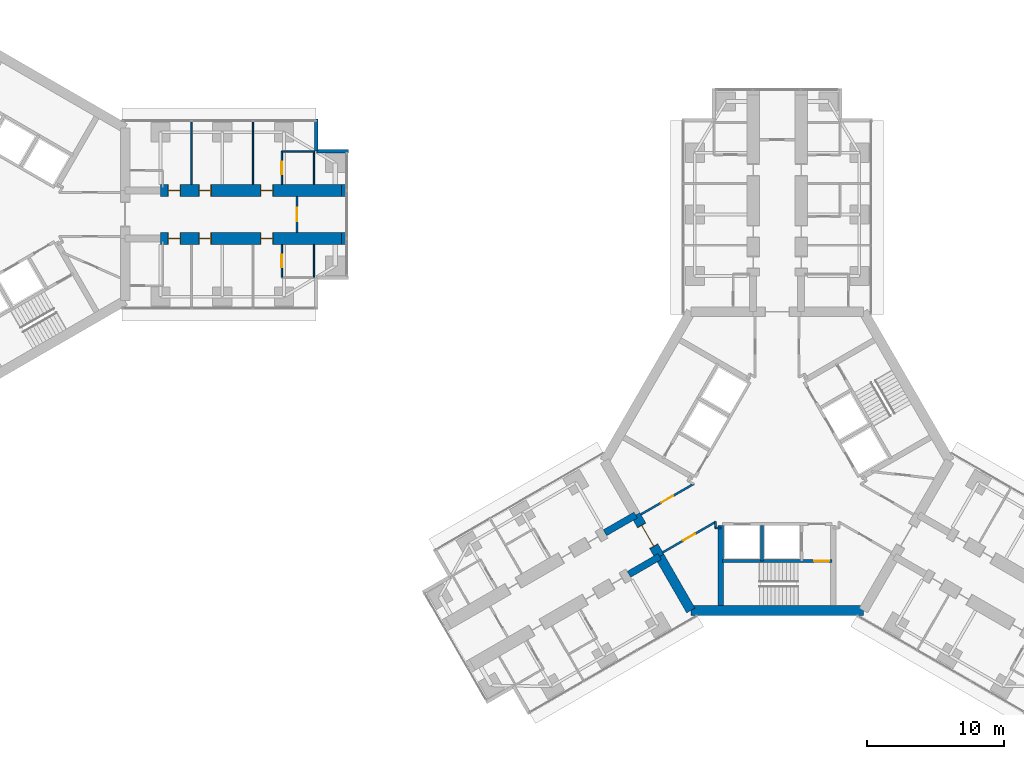
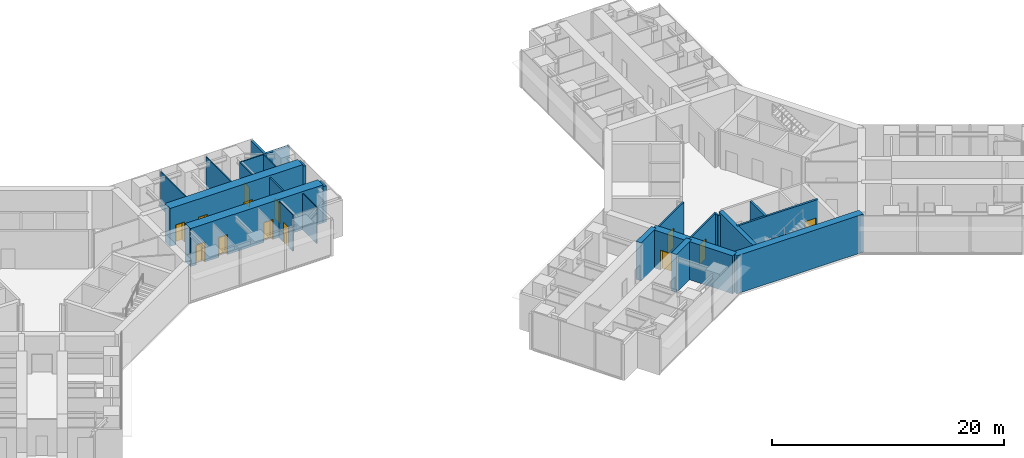
# One storey, part 20 of 25: 26 walls, 13 doors, 13 openings.
"""IFC4 building model written with IfcOpenShell, lengths in metres."""

from ifc_helpers import new_model, si_unit, direction, frame, frame_2d, origin, place, context, subcontext, project, spatial, rectangle, extrude, material, layer, layer_set, type_object, element, fill, save


model = new_model("IFC4")

# Units and contexts
model_context = context("Model", 3, precision=1e-05, world=origin(), true_north=direction((0.0, 1.0)))
body_context = subcontext(model_context, "Body", "Model", "MODEL_VIEW")
ifc_project = project(units=[si_unit("LENGTHUNIT", "METRE"), si_unit("AREAUNIT", "SQUARE_METRE"), si_unit("VOLUMEUNIT", "CUBIC_METRE"), si_unit("PLANEANGLEUNIT", "RADIAN"), si_unit("MASSUNIT", "GRAM", prefix="KILO")], contexts=[model_context])

# Site, building, storey
site_placement = place(None, origin())
site = spatial("IfcSite", under=ifc_project, at=site_placement, CompositionType="ELEMENT")
building_placement = place(site_placement, origin())
building = spatial("IfcBuilding", under=site, at=building_placement, Name="Upepo Twin Towers", CompositionType="ELEMENT")
storey_placement = place(building_placement, frame((0.0, 0.0, 76.5)))
storey = spatial("IfcBuildingStorey", under=building, at=storey_placement, Name="L18", CompositionType="ELEMENT", Elevation=76.5)

# Walls
ifc_material_1 = material(Name="Dense concrete blockwork", Category="masonry")
ifc_layer_1 = layer(ifc_material_1, 0.89990234375)
ifc_layer_set_1 = layer_set([ifc_layer_1], Name="Buttress closer 900, blockwork with fire-stopping to the curtain wall")
wall_type_1 = type_object("IfcWallType", Name="Buttress closer 900, blockwork with fire-stopping to the curtain wall", PredefinedType="PARTITIONING", material=ifc_layer_set_1)
for number, where, z_axis, x_axis, name in (
    (1, (26.699951171875, 1.75, 0.0), (0.0, 0.0, 1.0), (1.0, 0.0, 0.0), "T1 L18 wing A buttress closer L"),
    (2, (26.699951171875, -1.75, 0.0), (0.0, 0.0, 1.0), (1.0, 0.0, 0.0), "T1 L18 wing A buttress closer R"),
):
    element("IfcWall", number, at=place(storey_placement, frame(where, z_axis=z_axis, x_axis=x_axis)), inside=storey, type_object=wall_type_1, Name=name, PredefinedType="PARTITIONING", context=body_context, shape_type="SweptSolid", body=[
        extrude(rectangle(XDim=0.31005859375, YDim=0.89990234375, at=frame_2d((0.155029296875, 0.0))), origin(), (0.0, 0.0, 1.0), 3.800048828125),
    ])
ifc_material_2 = material(Name="Concrete C60/75", Category="concrete")
ifc_layer_2 = layer(ifc_material_2, 0.5)
ifc_layer_set_2 = layer_set([ifc_layer_2], Name="Concrete C60/75")
wall_type_2 = type_object("IfcWallType", Name="Buttress wall 500 RC", PredefinedType="SHEAR", material=ifc_layer_set_2)
for number, where, z_axis, x_axis, name in (
    (3, (49.92822265625, -24.9697265625, 0.0), (0.0, 0.0, 1.0), (-0.866031863473, -0.499988811324, 0.0), "T2 wing B buttress wall L"),
    (4, (48.17822265625, -21.938720703125, 0.0), (0.0, 0.0, 1.0), (-0.866072649678, -0.499918158782, 0.0), "T2 wing B buttress wall R"),
):
    element("IfcWall", number, at=place(storey_placement, frame(where, z_axis=z_axis, x_axis=x_axis)), inside=storey, type_object=wall_type_2, Name=name, PredefinedType="SHEAR", context=body_context, shape_type="SweptSolid", body=[
        extrude(rectangle(XDim=2.591796875, YDim=0.5, at=frame_2d((1.2958984375, 0.0))), origin(), (0.0, 0.0, 1.0), 4.0),
    ])

# Wall, openings, doors
ifc_material_3 = material(Name="Concrete C60/75", Category="concrete")
ifc_layer_3 = layer(ifc_material_3, 0.89990234375)
ifc_layer_set_3 = layer_set([ifc_layer_3], Name="Concrete C60/75")
wall_type_3 = type_object("IfcWallType", Name="Buttress wall 900 RC", PredefinedType="SHEAR", material=ifc_layer_set_3)
wall_1_placement = place(storey_placement, frame((13.5, 1.75, 0.0), z_axis=(0.0, 0.0, 1.0), x_axis=(1.0, 0.0, 0.0)))
wall_1 = element("IfcWall", 5, at=wall_1_placement, inside=storey, type_object=wall_type_3, Name="T1 wing A buttress wall L part 2", PredefinedType="SHEAR", context=body_context, shape_type="SweptSolid", body=[
    extrude(rectangle(XDim=13.199951171875, YDim=0.89990234375, at=frame_2d((6.60009765625, 0.0))), origin(), (0.0, 0.0, 1.0), 4.0),
])
opening_1_placement = place(wall_1_placement, frame((0.550048828125, 0.0, 0.0)))
opening_1 = element("IfcOpeningElement", 6, at=opening_1_placement, cuts=wall_1, Name="Opening D11", PredefinedType="OPENING", context=body_context, shape_type="SweptSolid", body=[
    extrude(rectangle(XDim=0.89990234375, YDim=2.10009765625, at=frame_2d((0.449951171875, 1.050048828125))), frame((0.0, 0.4599609375, 0.0), z_axis=(0.0, -1.0, 0.0), x_axis=(1.0, 0.0, 0.0)), (0.0, 0.0, 1.0), 0.919921875),
])
opening_2_placement = place(wall_1_placement, frame((2.800048828125, 0.0, 0.0)))
opening_2 = element("IfcOpeningElement", 7, at=opening_2_placement, cuts=wall_1, Name="Opening D14", PredefinedType="OPENING", context=body_context, shape_type="SweptSolid", body=[
    extrude(rectangle(XDim=0.89990234375, YDim=2.10009765625, at=frame_2d((0.449951171875, 1.050048828125))), frame((0.0, 0.4599609375, 0.0), z_axis=(0.0, -1.0, 0.0), x_axis=(1.0, 0.0, 0.0)), (0.0, 0.0, 1.0), 0.919921875),
])
opening_3_placement = place(wall_1_placement, frame((7.300048828125, 0.0, 0.0)))
opening_3 = element("IfcOpeningElement", 8, at=opening_3_placement, cuts=wall_1, Name="Opening D14", PredefinedType="OPENING", context=body_context, shape_type="SweptSolid", body=[
    extrude(rectangle(XDim=0.89990234375, YDim=2.10009765625, at=frame_2d((0.449951171875, 1.050048828125))), frame((0.0, 0.4599609375, 0.0), z_axis=(0.0, -1.0, 0.0), x_axis=(1.0, 0.0, 0.0)), (0.0, 0.0, 1.0), 0.919921875),
])
ifc_material_4 = material(Name="Timber doorset", Category="wood")
door_type_1 = type_object("IfcDoorType", Name="Office door 900 FD30", OperationType="SINGLE_SWING_LEFT", PredefinedType="DOOR", material=ifc_material_4)
door_1_placement = place(opening_2_placement, origin())
door_1 = element("IfcDoor", 9, at=door_1_placement, inside=storey, type_object=door_type_1, Name="T1 L18 staff office door", OperationType="SINGLE_SWING_LEFT", OverallHeight=2.10009765625, OverallWidth=0.89990234375, PredefinedType="DOOR", context=body_context, shape_type="SweptSolid", body=[
    extrude(rectangle(XDim=0.81990234375, YDim=2.06009765625, at=frame_2d((0.449951171875, 1.030029296875))), frame((0.0, 0.02490234375, 0.0), z_axis=(0.0, -1.0, 0.0), x_axis=(1.0, 0.0, 0.0)), (0.0, 0.0, 1.0), 0.050048828125),
    extrude(rectangle(XDim=0.04, YDim=2.10009765625, at=frame_2d((0.02001953125, 1.050048828125))), frame((0.0, 0.44970703125, 0.0), z_axis=(0.0, -1.0, 0.0), x_axis=(1.0, 0.0, 0.0)), (0.0, 0.0, 1.0), 0.8994140625),
    extrude(rectangle(XDim=0.04, YDim=2.10009765625, at=frame_2d((0.8798828125, 1.050048828125))), frame((0.0, 0.44970703125, 0.0), z_axis=(0.0, -1.0, 0.0), x_axis=(1.0, 0.0, 0.0)), (0.0, 0.0, 1.0), 0.8994140625),
    extrude(rectangle(XDim=0.81990234375, YDim=0.04, at=frame_2d((0.449951171875, 2.080078125))), frame((0.0, 0.44970703125, 0.0), z_axis=(0.0, -1.0, 0.0), x_axis=(1.0, 0.0, 0.0)), (0.0, 0.0, 1.0), 0.8994140625),
])
fill(opening_2, door_1)
door_2_placement = place(opening_3_placement, origin())
door_2 = element("IfcDoor", 10, at=door_2_placement, inside=storey, type_object=door_type_1, Name="T1 L18 postgraduate office door", OperationType="SINGLE_SWING_RIGHT", OverallHeight=2.10009765625, OverallWidth=0.89990234375, PredefinedType="DOOR", context=body_context, shape_type="SweptSolid", body=[
    extrude(rectangle(XDim=0.81990234375, YDim=2.06009765625, at=frame_2d((0.449951171875, 1.030029296875))), frame((0.0, 0.02490234375, 0.0), z_axis=(0.0, -1.0, 0.0), x_axis=(1.0, 0.0, 0.0)), (0.0, 0.0, 1.0), 0.050048828125),
    extrude(rectangle(XDim=0.04, YDim=2.10009765625, at=frame_2d((0.02001953125, 1.050048828125))), frame((0.0, 0.44970703125, 0.0), z_axis=(0.0, -1.0, 0.0), x_axis=(1.0, 0.0, 0.0)), (0.0, 0.0, 1.0), 0.8994140625),
    extrude(rectangle(XDim=0.04, YDim=2.10009765625, at=frame_2d((0.8798828125, 1.050048828125))), frame((0.0, 0.44970703125, 0.0), z_axis=(0.0, -1.0, 0.0), x_axis=(1.0, 0.0, 0.0)), (0.0, 0.0, 1.0), 0.8994140625),
    extrude(rectangle(XDim=0.81990234375, YDim=0.04, at=frame_2d((0.449951171875, 2.080078125))), frame((0.0, 0.44970703125, 0.0), z_axis=(0.0, -1.0, 0.0), x_axis=(1.0, 0.0, 0.0)), (0.0, 0.0, 1.0), 0.8994140625),
])
fill(opening_3, door_2)
ifc_material_5 = material(Name="Timber doorset", Category="wood")
door_type_2 = type_object("IfcDoorType", Name="Toilet door 900", OperationType="SINGLE_SWING_LEFT", PredefinedType="DOOR", material=ifc_material_5)
door_3_placement = place(opening_1_placement, origin())
door_3 = element("IfcDoor", 11, at=door_3_placement, inside=storey, type_object=door_type_2, Name="T1 L18 toilets door", OperationType="SINGLE_SWING_LEFT", OverallHeight=2.10009765625, OverallWidth=0.89990234375, PredefinedType="DOOR", context=body_context, shape_type="SweptSolid", body=[
    extrude(rectangle(XDim=0.81990234375, YDim=2.06009765625, at=frame_2d((0.449951171875, 1.030029296875))), frame((0.0, 0.02490234375, 0.0), z_axis=(0.0, -1.0, 0.0), x_axis=(1.0, 0.0, 0.0)), (0.0, 0.0, 1.0), 0.050048828125),
    extrude(rectangle(XDim=0.04, YDim=2.10009765625, at=frame_2d((0.02001953125, 1.050048828125))), frame((0.0, 0.44970703125, 0.0), z_axis=(0.0, -1.0, 0.0), x_axis=(1.0, 0.0, 0.0)), (0.0, 0.0, 1.0), 0.8994140625),
    extrude(rectangle(XDim=0.04, YDim=2.10009765625, at=frame_2d((0.8798828125, 1.050048828125))), frame((0.0, 0.44970703125, 0.0), z_axis=(0.0, -1.0, 0.0), x_axis=(1.0, 0.0, 0.0)), (0.0, 0.0, 1.0), 0.8994140625),
    extrude(rectangle(XDim=0.81990234375, YDim=0.04, at=frame_2d((0.449951171875, 2.080078125))), frame((0.0, 0.44970703125, 0.0), z_axis=(0.0, -1.0, 0.0), x_axis=(1.0, 0.0, 0.0)), (0.0, 0.0, 1.0), 0.8994140625),
])
fill(opening_1, door_3)

wall_2_placement = place(storey_placement, frame((13.5, -1.75, 0.0), z_axis=(0.0, 0.0, 1.0), x_axis=(1.0, 0.0, 0.0)))
wall_2 = element("IfcWall", 12, at=wall_2_placement, inside=storey, type_object=wall_type_3, Name="T1 wing A buttress wall R part 2", PredefinedType="SHEAR", context=body_context, shape_type="SweptSolid", body=[
    extrude(rectangle(XDim=13.199951171875, YDim=0.89990234375, at=frame_2d((6.60009765625, 0.0))), origin(), (0.0, 0.0, 1.0), 4.0),
])
opening_4_placement = place(wall_2_placement, frame((0.550048828125, 0.0, 0.0)))
opening_4 = element("IfcOpeningElement", 13, at=opening_4_placement, cuts=wall_2, Name="Opening D11", PredefinedType="OPENING", context=body_context, shape_type="SweptSolid", body=[
    extrude(rectangle(XDim=0.89990234375, YDim=2.10009765625, at=frame_2d((0.449951171875, 1.050048828125))), frame((0.0, 0.4599609375, 0.0), z_axis=(0.0, -1.0, 0.0), x_axis=(1.0, 0.0, 0.0)), (0.0, 0.0, 1.0), 0.919921875),
])
opening_5_placement = place(wall_2_placement, frame((2.800048828125, 0.0, 0.0)))
opening_5 = element("IfcOpeningElement", 14, at=opening_5_placement, cuts=wall_2, Name="Opening D14", PredefinedType="OPENING", context=body_context, shape_type="SweptSolid", body=[
    extrude(rectangle(XDim=0.89990234375, YDim=2.10009765625, at=frame_2d((0.449951171875, 1.050048828125))), frame((0.0, 0.4599609375, 0.0), z_axis=(0.0, -1.0, 0.0), x_axis=(1.0, 0.0, 0.0)), (0.0, 0.0, 1.0), 0.919921875),
])
opening_6_placement = place(wall_2_placement, frame((7.300048828125, 0.0, 0.0)))
opening_6 = element("IfcOpeningElement", 15, at=opening_6_placement, cuts=wall_2, Name="Opening D14", PredefinedType="OPENING", context=body_context, shape_type="SweptSolid", body=[
    extrude(rectangle(XDim=0.89990234375, YDim=2.10009765625, at=frame_2d((0.449951171875, 1.050048828125))), frame((0.0, 0.4599609375, 0.0), z_axis=(0.0, -1.0, 0.0), x_axis=(1.0, 0.0, 0.0)), (0.0, 0.0, 1.0), 0.919921875),
])
door_4_placement = place(opening_5_placement, origin())
door_4 = element("IfcDoor", 16, at=door_4_placement, inside=storey, type_object=door_type_1, Name="T1 L18 meeting room door", OperationType="SINGLE_SWING_LEFT", OverallHeight=2.10009765625, OverallWidth=0.89990234375, PredefinedType="DOOR", context=body_context, shape_type="SweptSolid", body=[
    extrude(rectangle(XDim=0.81990234375, YDim=2.06009765625, at=frame_2d((0.449951171875, 1.030029296875))), frame((0.0, 0.02490234375, 0.0), z_axis=(0.0, -1.0, 0.0), x_axis=(1.0, 0.0, 0.0)), (0.0, 0.0, 1.0), 0.050048828125),
    extrude(rectangle(XDim=0.04, YDim=2.10009765625, at=frame_2d((0.02001953125, 1.050048828125))), frame((0.0, 0.44970703125, 0.0), z_axis=(0.0, -1.0, 0.0), x_axis=(1.0, 0.0, 0.0)), (0.0, 0.0, 1.0), 0.8994140625),
    extrude(rectangle(XDim=0.04, YDim=2.10009765625, at=frame_2d((0.8798828125, 1.050048828125))), frame((0.0, 0.44970703125, 0.0), z_axis=(0.0, -1.0, 0.0), x_axis=(1.0, 0.0, 0.0)), (0.0, 0.0, 1.0), 0.8994140625),
    extrude(rectangle(XDim=0.81990234375, YDim=0.04, at=frame_2d((0.449951171875, 2.080078125))), frame((0.0, 0.44970703125, 0.0), z_axis=(0.0, -1.0, 0.0), x_axis=(1.0, 0.0, 0.0)), (0.0, 0.0, 1.0), 0.8994140625),
])
fill(opening_5, door_4)
door_5_placement = place(opening_6_placement, origin())
door_5 = element("IfcDoor", 17, at=door_5_placement, inside=storey, type_object=door_type_1, Name="T1 L18 staff office door", OperationType="SINGLE_SWING_RIGHT", OverallHeight=2.10009765625, OverallWidth=0.89990234375, PredefinedType="DOOR", context=body_context, shape_type="SweptSolid", body=[
    extrude(rectangle(XDim=0.81990234375, YDim=2.06009765625, at=frame_2d((0.449951171875, 1.030029296875))), frame((0.0, 0.02490234375, 0.0), z_axis=(0.0, -1.0, 0.0), x_axis=(1.0, 0.0, 0.0)), (0.0, 0.0, 1.0), 0.050048828125),
    extrude(rectangle(XDim=0.04, YDim=2.10009765625, at=frame_2d((0.02001953125, 1.050048828125))), frame((0.0, 0.44970703125, 0.0), z_axis=(0.0, -1.0, 0.0), x_axis=(1.0, 0.0, 0.0)), (0.0, 0.0, 1.0), 0.8994140625),
    extrude(rectangle(XDim=0.04, YDim=2.10009765625, at=frame_2d((0.8798828125, 1.050048828125))), frame((0.0, 0.44970703125, 0.0), z_axis=(0.0, -1.0, 0.0), x_axis=(1.0, 0.0, 0.0)), (0.0, 0.0, 1.0), 0.8994140625),
    extrude(rectangle(XDim=0.81990234375, YDim=0.04, at=frame_2d((0.449951171875, 2.080078125))), frame((0.0, 0.44970703125, 0.0), z_axis=(0.0, -1.0, 0.0), x_axis=(1.0, 0.0, 0.0)), (0.0, 0.0, 1.0), 0.8994140625),
])
fill(opening_6, door_5)
door_6_placement = place(opening_4_placement, origin())
door_6 = element("IfcDoor", 18, at=door_6_placement, inside=storey, type_object=door_type_2, Name="T1 L18 accessible wc door", OperationType="SINGLE_SWING_LEFT", OverallHeight=2.10009765625, OverallWidth=0.89990234375, PredefinedType="DOOR", context=body_context, shape_type="SweptSolid", body=[
    extrude(rectangle(XDim=0.81990234375, YDim=2.06009765625, at=frame_2d((0.449951171875, 1.030029296875))), frame((0.0, 0.02490234375, 0.0), z_axis=(0.0, -1.0, 0.0), x_axis=(1.0, 0.0, 0.0)), (0.0, 0.0, 1.0), 0.050048828125),
    extrude(rectangle(XDim=0.04, YDim=2.10009765625, at=frame_2d((0.02001953125, 1.050048828125))), frame((0.0, 0.44970703125, 0.0), z_axis=(0.0, -1.0, 0.0), x_axis=(1.0, 0.0, 0.0)), (0.0, 0.0, 1.0), 0.8994140625),
    extrude(rectangle(XDim=0.04, YDim=2.10009765625, at=frame_2d((0.8798828125, 1.050048828125))), frame((0.0, 0.44970703125, 0.0), z_axis=(0.0, -1.0, 0.0), x_axis=(1.0, 0.0, 0.0)), (0.0, 0.0, 1.0), 0.8994140625),
    extrude(rectangle(XDim=0.81990234375, YDim=0.04, at=frame_2d((0.449951171875, 2.080078125))), frame((0.0, 0.44970703125, 0.0), z_axis=(0.0, -1.0, 0.0), x_axis=(1.0, 0.0, 0.0)), (0.0, 0.0, 1.0), 0.8994140625),
])
fill(opening_4, door_6)

# Wall, opening, door
ifc_material_6 = material(Name="Concrete C60/75", Category="concrete")
ifc_layer_4 = layer(ifc_material_6, 0.699951171875)
ifc_layer_set_4 = layer_set([ifc_layer_4], Name="Concrete C60/75")
wall_type_4 = type_object("IfcWallType", Name="Core wall 700 RC", PredefinedType="SHEAR", material=ifc_layer_set_4)
wall_3_placement = place(storey_placement, frame((48.17822265625, -21.938720703125, 0.0), z_axis=(0.0, 0.0, 1.0), x_axis=(0.500010275428, -0.866019471182, 0.0)))
wall_3 = element("IfcWall", 19, at=wall_3_placement, inside=storey, type_object=wall_type_4, Name="T2 core wall 120", PredefinedType="SHEAR", context=body_context, shape_type="SweptSolid", body=[
    extrude(rectangle(XDim=3.5, YDim=0.699951171875, at=frame_2d((1.75, 0.0))), origin(), (0.0, 0.0, 1.0), 4.0),
])
opening_7_placement = place(wall_3_placement, frame((0.85009765625, 0.0, 0.0)))
opening_7 = element("IfcOpeningElement", 20, at=opening_7_placement, cuts=wall_3, Name="Opening D2", PredefinedType="OPENING", context=body_context, shape_type="SweptSolid", body=[
    extrude(rectangle(XDim=1.800048828125, YDim=2.10009765625, at=frame_2d((0.89990234375, 1.050048828125))), frame((0.0, 0.35986328125, 0.0), z_axis=(0.0, -1.0, 0.0), x_axis=(1.0, 0.0, 0.0)), (0.0, 0.0, 1.0), 0.719970703125),
])
ifc_material_7 = material(Name="Timber doorset", Category="wood")
door_type_3 = type_object("IfcDoorType", Name="Corridor double door 1800 FD60", OperationType="DOUBLE_DOOR_DOUBLE_SWING", PredefinedType="DOOR", material=ifc_material_7)
door_7_placement = place(opening_7_placement, origin())
door_7 = element("IfcDoor", 21, at=door_7_placement, inside=storey, type_object=door_type_3, Name="T2 L18 wing B corridor door", OperationType="DOUBLE_DOOR_DOUBLE_SWING", OverallHeight=2.10009765625, OverallWidth=1.800048828125, PredefinedType="DOOR", context=body_context, shape_type="SweptSolid", body=[
    extrude(rectangle(XDim=1.720048828125, YDim=2.06009765625, at=frame_2d((0.89990234375, 1.030029296875))), frame((0.0, 0.02490234375, 0.0), z_axis=(0.0, -1.0, 0.0), x_axis=(1.0, 0.0, 0.0)), (0.0, 0.0, 1.0), 0.050048828125),
    extrude(rectangle(XDim=0.04, YDim=2.10009765625, at=frame_2d((0.02001953125, 1.050048828125))), frame((0.0, 0.349609375, 0.0), z_axis=(0.0, -1.0, 0.0), x_axis=(1.0, 0.0, 0.0)), (0.0, 0.0, 1.0), 0.699462890625),
    extrude(rectangle(XDim=0.04, YDim=2.10009765625, at=frame_2d((1.780029296875, 1.050048828125))), frame((0.0, 0.349609375, 0.0), z_axis=(0.0, -1.0, 0.0), x_axis=(1.0, 0.0, 0.0)), (0.0, 0.0, 1.0), 0.699462890625),
    extrude(rectangle(XDim=1.720048828125, YDim=0.04, at=frame_2d((0.89990234375, 2.080078125))), frame((0.0, 0.349609375, 0.0), z_axis=(0.0, -1.0, 0.0), x_axis=(1.0, 0.0, 0.0)), (0.0, 0.0, 1.0), 0.699462890625),
])
fill(opening_7, door_7)

# Walls
wall_4_placement = place(storey_placement, frame((49.92822265625, -24.9697265625, 0.0), z_axis=(0.0, 0.0, 1.0), x_axis=(0.499984222037, -0.866034513004, 0.0)))
element("IfcWall", 22, at=wall_4_placement, inside=storey, type_object=wall_type_4, Name="T2 core wall 120 L", PredefinedType="SHEAR", context=body_context, shape_type="SweptSolid", body=[
    extrude(rectangle(XDim=4.548095703125, YDim=0.699951171875, at=frame_2d((2.27392578125, 0.0))), origin(), (0.0, 0.0, 1.0), 4.0),
])
wall_5_placement = place(storey_placement, frame((52.2021484375, -28.908447265625, 0.0), z_axis=(0.0, 0.0, 1.0), x_axis=(1.0, 0.0, 0.0)))
element("IfcWall", 23, at=wall_5_placement, inside=storey, type_object=wall_type_4, Name="T2 core wall 180", PredefinedType="SHEAR", context=body_context, shape_type="SweptSolid", body=[
    extrude(rectangle(XDim=12.595703125, YDim=0.699951171875, at=frame_2d((6.2978515625, 0.0))), origin(), (0.0, 0.0, 1.0), 4.0),
])
ifc_material_8 = material(Name="Blockwork with anodised aluminium cladding", Category="masonry")
ifc_layer_5 = layer(ifc_material_8, 0.25)
ifc_layer_set_5 = layer_set([ifc_layer_5], Name="Notch cladding wall 250, pale metal")
wall_type_5 = type_object("IfcWallType", Name="Notch cladding wall 250, pale metal", PredefinedType="STANDARD", material=ifc_layer_set_5)
for number, where, z_axis, x_axis, name in (
    (24, (24.875, 6.949951171875, 0.0), (0.0, 0.0, 1.0), (0.0, -1.0, 0.0), "T1 L18 wing A notch wall L1"),
    (25, (24.875, 4.625, 0.0), (0.0, 0.0, 1.0), (1.0, 0.0, 0.0), "T1 L18 wing A notch wall L2"),
):
    element("IfcWall", number, at=place(storey_placement, frame(where, z_axis=z_axis, x_axis=x_axis)), inside=storey, type_object=wall_type_5, Name=name, PredefinedType="STANDARD", context=body_context, shape_type="SweptSolid", body=[
        extrude(rectangle(XDim=2.324951171875, YDim=0.25, at=frame_2d((1.16259765625, 0.0))), origin(), (0.0, 0.0, 1.0), 3.800048828125),
    ])
ifc_material_9 = material(Name="Gypsum board on steel studs", Category="steel")
ifc_layer_6 = layer(ifc_material_9, 0.10009765625)
ifc_layer_set_6 = layer_set([ifc_layer_6], Name="Office partition 100 stud")
wall_type_6 = type_object("IfcWallType", Name="Office partition 100 stud", PredefinedType="PARTITIONING", material=ifc_layer_set_6)
for number, where, z_axis, x_axis, name in (
    (26, (15.75, 2.199951171875, 0.0), (0.0, 0.0, 1.0), (0.0, 1.0, 0.0), "T1 partition AL at 15.75"),
    (27, (20.25, 2.199951171875, 0.0), (0.0, 0.0, 1.0), (0.0, 1.0, 0.0), "T1 partition AL at 20.25"),
):
    element("IfcWall", number, at=place(storey_placement, frame(where, z_axis=z_axis, x_axis=x_axis)), inside=storey, type_object=wall_type_6, Name=name, PredefinedType="PARTITIONING", context=body_context, shape_type="SweptSolid", body=[
        extrude(rectangle(XDim=4.550048828125, YDim=0.10009765625, at=frame_2d((2.27490234375, 0.0))), origin(), (0.0, 0.0, 1.0), 3.800048828125),
    ])
wall_6_placement = place(storey_placement, frame((22.35009765625, 4.60009765625, 0.0), z_axis=(0.0, 0.0, 1.0), x_axis=(1.0, 0.0, 0.0)))
element("IfcWall", 28, at=wall_6_placement, inside=storey, type_object=wall_type_6, Name="T1 inner room partition AL at 22.35", PredefinedType="PARTITIONING", context=body_context, shape_type="SweptSolid", body=[
    extrude(rectangle(XDim=2.39990234375, YDim=0.10009765625, at=frame_2d((1.199951171875, 0.0))), origin(), (0.0, 0.0, 1.0), 3.800048828125),
])

# Wall, opening, door
wall_7_placement = place(storey_placement, frame((22.35009765625, 2.199951171875, 0.0), z_axis=(0.0, 0.0, 1.0), x_axis=(0.0, 1.0, 0.0)))
wall_7 = element("IfcWall", 29, at=wall_7_placement, inside=storey, type_object=wall_type_6, Name="T1 inner room partition AL end at 22.35", PredefinedType="PARTITIONING", context=body_context, shape_type="SweptSolid", body=[
    extrude(rectangle(XDim=2.400146484375, YDim=0.10009765625, at=frame_2d((1.2001953125, 0.0))), origin(), (0.0, 0.0, 1.0), 3.800048828125),
])
opening_8_placement = place(wall_7_placement, frame((0.75, 0.0, 0.0)))
opening_8 = element("IfcOpeningElement", 30, at=opening_8_placement, cuts=wall_7, Name="Opening D14", PredefinedType="OPENING", context=body_context, shape_type="SweptSolid", body=[
    extrude(rectangle(XDim=0.89990234375, YDim=2.10009765625, at=frame_2d((0.449951171875, 1.050048828125))), frame((0.0, 0.06005859375, 0.0), z_axis=(0.0, -1.0, 0.0), x_axis=(1.0, 0.0, 0.0)), (0.0, 0.0, 1.0), 0.1201171875),
])
door_8_placement = place(opening_8_placement, origin())
door_8 = element("IfcDoor", 31, at=door_8_placement, inside=storey, type_object=door_type_1, Name="T1 L18 inner room door", OperationType="SINGLE_SWING_LEFT", OverallHeight=2.10009765625, OverallWidth=0.89990234375, PredefinedType="DOOR", context=body_context, shape_type="SweptSolid", body=[
    extrude(rectangle(XDim=0.89990234375, YDim=2.10009765625, at=frame_2d((0.449951171875, 1.050048828125))), frame((0.0, 0.02490234375, 0.0), z_axis=(0.0, -1.0, 0.0), x_axis=(1.0, 0.0, 0.0)), (0.0, 0.0, 1.0), 0.050048828125),
])
fill(opening_8, door_8)

# Wall
wall_8_placement = place(storey_placement, frame((24.699951171875, 2.199951171875, 0.0), z_axis=(0.0, 0.0, 1.0), x_axis=(0.0, 1.0, 0.0)))
element("IfcWall", 32, at=wall_8_placement, inside=storey, type_object=wall_type_6, Name="T1 inner room partition AL end at 24.75", PredefinedType="PARTITIONING", context=body_context, shape_type="SweptSolid", body=[
    extrude(rectangle(XDim=2.400146484375, YDim=0.10009765625, at=frame_2d((1.2001953125, 0.0))), origin(), (0.0, 0.0, 1.0), 3.800048828125),
])

# Wall, opening, door
wall_9_placement = place(storey_placement, frame((22.35009765625, -2.199951171875, 0.0), z_axis=(0.0, 0.0, 1.0), x_axis=(0.0, -1.0, 0.0)))
wall_9 = element("IfcWall", 33, at=wall_9_placement, inside=storey, type_object=wall_type_6, Name="T1 inner room partition AR end at 22.35", PredefinedType="PARTITIONING", context=body_context, shape_type="SweptSolid", body=[
    extrude(rectangle(XDim=2.400146484375, YDim=0.10009765625, at=frame_2d((1.2001953125, 0.0))), origin(), (0.0, 0.0, 1.0), 3.800048828125),
])
opening_9_placement = place(wall_9_placement, frame((0.75, 0.0, 0.0)))
opening_9 = element("IfcOpeningElement", 34, at=opening_9_placement, cuts=wall_9, Name="Opening D14", PredefinedType="OPENING", context=body_context, shape_type="SweptSolid", body=[
    extrude(rectangle(XDim=0.89990234375, YDim=2.10009765625, at=frame_2d((0.449951171875, 1.050048828125))), frame((0.0, 0.06005859375, 0.0), z_axis=(0.0, -1.0, 0.0), x_axis=(1.0, 0.0, 0.0)), (0.0, 0.0, 1.0), 0.1201171875),
])
door_9_placement = place(opening_9_placement, origin())
door_9 = element("IfcDoor", 35, at=door_9_placement, inside=storey, type_object=door_type_1, Name="T1 L18 inner room door", OperationType="SINGLE_SWING_LEFT", OverallHeight=2.10009765625, OverallWidth=0.89990234375, PredefinedType="DOOR", context=body_context, shape_type="SweptSolid", body=[
    extrude(rectangle(XDim=0.89990234375, YDim=2.10009765625, at=frame_2d((0.449951171875, 1.050048828125))), frame((0.0, 0.02490234375, 0.0), z_axis=(0.0, -1.0, 0.0), x_axis=(1.0, 0.0, 0.0)), (0.0, 0.0, 1.0), 0.050048828125),
])
fill(opening_9, door_9)

# Walls
wall_10_placement = place(storey_placement, frame((24.699951171875, -2.199951171875, 0.0), z_axis=(0.0, 0.0, 1.0), x_axis=(0.0, -1.0, 0.0)))
element("IfcWall", 36, at=wall_10_placement, inside=storey, type_object=wall_type_6, Name="T1 inner room partition AR end at 24.75", PredefinedType="PARTITIONING", context=body_context, shape_type="SweptSolid", body=[
    extrude(rectangle(XDim=2.400146484375, YDim=0.10009765625, at=frame_2d((1.2001953125, 0.0))), origin(), (0.0, 0.0, 1.0), 3.800048828125),
])
ifc_material_10 = material(Name="Concrete C40/50", Category="concrete")
ifc_layer_7 = layer(ifc_material_10, 0.199951171875)
ifc_layer_set_7 = layer_set([ifc_layer_7], Name="Concrete C40/50")
wall_type_7 = type_object("IfcWallType", Name="Shaft wall 200 RC", PredefinedType="SHEAR", material=ifc_layer_set_7)
wall_11_placement = place(storey_placement, frame((57.39990234375, -22.699951171875, 0.0), z_axis=(0.0, 0.0, 1.0), x_axis=(0.0, -1.0, 0.0)))
element("IfcWall", 37, at=wall_11_placement, inside=storey, type_object=wall_type_7, Name="T2 core W180 shaft divider", PredefinedType="SHEAR", context=body_context, shape_type="SweptSolid", body=[
    extrude(rectangle(XDim=2.60009765625, YDim=0.199951171875, at=frame_2d((1.300048828125, 0.0))), origin(), (0.0, 0.0, 1.0), 4.0),
])

# Wall, opening, door
wall_12_placement = place(storey_placement, frame((54.5, -25.300048828125, 0.0), z_axis=(0.0, 0.0, 1.0), x_axis=(1.0, 0.0, 0.0)))
wall_12 = element("IfcWall", 38, at=wall_12_placement, inside=storey, type_object=wall_type_7, Name="T2 core W180 stair wall", PredefinedType="SHEAR", context=body_context, shape_type="SweptSolid", body=[
    extrude(rectangle(XDim=8.0, YDim=0.199951171875, at=frame_2d((4.0, 0.0))), origin(), (0.0, 0.0, 1.0), 4.0),
])
opening_10_placement = place(wall_12_placement, frame((6.699951171875, 0.0, 0.0)))
opening_10 = element("IfcOpeningElement", 39, at=opening_10_placement, cuts=wall_12, Name="Opening D3", PredefinedType="OPENING", context=body_context, shape_type="SweptSolid", body=[
    extrude(rectangle(XDim=1.10009765625, YDim=2.10009765625, at=frame_2d((0.550048828125, 1.050048828125))), frame((0.0, 0.10986328125, 0.0), z_axis=(0.0, -1.0, 0.0), x_axis=(1.0, 0.0, 0.0)), (0.0, 0.0, 1.0), 0.219970703125),
])
ifc_material_11 = material(Name="Timber doorset", Category="wood")
door_type_4 = type_object("IfcDoorType", Name="Stair door 1100 FD60", OperationType="SINGLE_SWING_LEFT", PredefinedType="DOOR", material=ifc_material_11)
door_10_placement = place(opening_10_placement, origin())
door_10 = element("IfcDoor", 40, at=door_10_placement, inside=storey, type_object=door_type_4, Name="T2 L18 stair door", OperationType="SINGLE_SWING_RIGHT", OverallHeight=2.10009765625, OverallWidth=1.10009765625, PredefinedType="DOOR", context=body_context, shape_type="SweptSolid", body=[
    extrude(rectangle(XDim=1.10009765625, YDim=2.10009765625, at=frame_2d((0.550048828125, 1.050048828125))), frame((0.0, 0.02490234375, 0.0), z_axis=(0.0, -1.0, 0.0), x_axis=(1.0, 0.0, 0.0)), (0.0, 0.0, 1.0), 0.050048828125),
])
fill(opening_10, door_10)

# Wall
ifc_material_12 = material(Name="Concrete C40/50", Category="concrete")
ifc_layer_8 = layer(ifc_material_12, 0.39990234375)
ifc_layer_set_8 = layer_set([ifc_layer_8], Name="Concrete C40/50")
wall_type_8 = type_object("IfcWallType", Name="Shaft wall 400 RC", PredefinedType="SHEAR", material=ifc_layer_set_8)
wall_13_placement = place(storey_placement, frame((54.39990234375, -22.699951171875, 0.0), z_axis=(0.0, 0.0, 1.0), x_axis=(0.0, -1.0, 0.0)))
element("IfcWall", 41, at=wall_13_placement, inside=storey, type_object=wall_type_8, Name="T2 core W180 side wall S", PredefinedType="SHEAR", context=body_context, shape_type="SweptSolid", body=[
    extrude(rectangle(XDim=5.8583984375, YDim=0.39990234375, at=frame_2d((2.92919921875, 0.0))), origin(), (0.0, 0.0, 1.0), 4.0),
])

# Wall, opening, door
ifc_material_13 = material(Name="Gypsum board on steel studs", Category="steel")
ifc_layer_9 = layer(ifc_material_13, 0.14990234375)
ifc_layer_set_9 = layer_set([ifc_layer_9], Name="Teaching partition 150 acoustic")
wall_type_9 = type_object("IfcWallType", Name="Teaching partition 150 acoustic", PredefinedType="PARTITIONING", material=ifc_layer_set_9)
wall_14_placement = place(storey_placement, frame((23.449951171875, -1.300048828125, 0.0), z_axis=(0.0, 0.0, 1.0), x_axis=(0.0, 1.0, 0.0)))
wall_14 = element("IfcWall", 42, at=wall_14_placement, inside=storey, type_object=wall_type_9, Name="T1 corridor end partition A at 23.45", PredefinedType="PARTITIONING", context=body_context, shape_type="SweptSolid", body=[
    extrude(rectangle(XDim=2.60009765625, YDim=0.14990234375, at=frame_2d((1.300048828125, 0.0))), origin(), (0.0, 0.0, 1.0), 3.800048828125),
])
opening_11_placement = place(wall_14_placement, frame((0.800048828125, 0.0, 0.0)))
opening_11 = element("IfcOpeningElement", 43, at=opening_11_placement, cuts=wall_14, Name="Opening D1", PredefinedType="OPENING", context=body_context, shape_type="SweptSolid", body=[
    extrude(rectangle(XDim=1.0, YDim=2.10009765625, at=frame_2d((0.5, 1.050048828125))), frame((0.0, 0.0849609375, 0.0), z_axis=(0.0, -1.0, 0.0), x_axis=(1.0, 0.0, 0.0)), (0.0, 0.0, 1.0), 0.169921875),
])
ifc_material_14 = material(Name="Timber doorset", Category="wood")
door_type_5 = type_object("IfcDoorType", Name="Room door 1000 FD30", OperationType="SINGLE_SWING_LEFT", PredefinedType="DOOR", material=ifc_material_14)
door_11_placement = place(opening_11_placement, origin())
door_11 = element("IfcDoor", 44, at=door_11_placement, inside=storey, type_object=door_type_5, Name="T1 L18 breakout study room door", OperationType="SINGLE_SWING_LEFT", OverallHeight=2.10009765625, OverallWidth=1.0, PredefinedType="DOOR", context=body_context, shape_type="SweptSolid", body=[
    extrude(rectangle(XDim=1.0, YDim=2.10009765625, at=frame_2d((0.5, 1.050048828125))), frame((0.0, 0.02490234375, 0.0), z_axis=(0.0, -1.0, 0.0), x_axis=(1.0, 0.0, 0.0)), (0.0, 0.0, 1.0), 0.050048828125),
])
fill(opening_11, door_11)

# Wall
wall_15_placement = place(storey_placement, frame((54.0, -22.919921875, 0.0), z_axis=(0.0, 0.0, 1.0), x_axis=(0.0, 1.0, 0.0)))
element("IfcWall", 45, at=wall_15_placement, inside=storey, type_object=wall_type_9, Name="T2 core room partition 1", PredefinedType="PARTITIONING", context=body_context, shape_type="SweptSolid", body=[
    extrude(rectangle(XDim=0.494384765625, YDim=0.14990234375, at=frame_2d((0.2470703125, 0.0))), origin(), (0.0, 0.0, 1.0), 3.800048828125),
])

# Wall, opening, door
wall_16_placement = place(storey_placement, frame((54.017333984375, -22.435546875, 0.0), z_axis=(0.0, 0.0, 1.0), x_axis=(-0.866015446554, -0.500017246033, 0.0)))
wall_16 = element("IfcWall", 46, at=wall_16_placement, inside=storey, type_object=wall_type_9, Name="T2 core room partition 2", PredefinedType="PARTITIONING", context=body_context, shape_type="SweptSolid", body=[
    extrude(rectangle(XDim=4.468505859375, YDim=0.14990234375, at=frame_2d((2.234375, 0.0))), origin(), (0.0, 0.0, 1.0), 3.800048828125),
])
opening_12_placement = place(wall_16_placement, frame((1.744384765625, 0.0, 0.0)))
opening_12 = element("IfcOpeningElement", 47, at=opening_12_placement, cuts=wall_16, Name="Opening D1", PredefinedType="OPENING", context=body_context, shape_type="SweptSolid", body=[
    extrude(rectangle(XDim=1.0, YDim=2.10009765625, at=frame_2d((0.5, 1.050048828125))), frame((0.0, 0.0849609375, 0.0), z_axis=(0.0, -1.0, 0.0), x_axis=(1.0, 0.0, 0.0)), (0.0, 0.0, 1.0), 0.169921875),
])
door_12_placement = place(opening_12_placement, origin())
door_12 = element("IfcDoor", 48, at=door_12_placement, inside=storey, type_object=door_type_5, Name="T2 L18 core room door K2", OperationType="SINGLE_SWING_RIGHT", OverallHeight=2.10009765625, OverallWidth=1.0, PredefinedType="DOOR", context=body_context, shape_type="SweptSolid", body=[
    extrude(rectangle(XDim=1.0, YDim=2.10009765625, at=frame_2d((0.5, 1.050048828125))), frame((0.0, 0.02490234375, 0.0), z_axis=(0.0, -1.0, 0.0), x_axis=(1.0, 0.0, 0.0)), (0.0, 0.0, 1.0), 0.050048828125),
])
fill(opening_12, door_12)

wall_17_placement = place(storey_placement, frame((48.547607421875, -21.8984375, 0.0), z_axis=(0.0, 0.0, 1.0), x_axis=(0.866025445582, 0.499999927604, 0.0)))
wall_17 = element("IfcWall", 49, at=wall_17_placement, inside=storey, type_object=wall_type_9, Name="T2 core room partition 3", PredefinedType="PARTITIONING", context=body_context, shape_type="SweptSolid", body=[
    extrude(rectangle(XDim=4.46826171875, YDim=0.14990234375, at=frame_2d((2.234130859375, 0.0))), origin(), (0.0, 0.0, 1.0), 3.800048828125),
])
opening_13_placement = place(wall_17_placement, frame((1.72412109375, 0.0, 0.0)))
opening_13 = element("IfcOpeningElement", 50, at=opening_13_placement, cuts=wall_17, Name="Opening D1", PredefinedType="OPENING", context=body_context, shape_type="SweptSolid", body=[
    extrude(rectangle(XDim=1.0, YDim=2.10009765625, at=frame_2d((0.5, 1.050048828125))), frame((0.0, 0.0849609375, 0.0), z_axis=(0.0, -1.0, 0.0), x_axis=(1.0, 0.0, 0.0)), (0.0, 0.0, 1.0), 0.169921875),
])
door_13_placement = place(opening_13_placement, origin())
door_13 = element("IfcDoor", 51, at=door_13_placement, inside=storey, type_object=door_type_5, Name="T2 L18 core room door K1", OperationType="SINGLE_SWING_LEFT", OverallHeight=2.10009765625, OverallWidth=1.0, PredefinedType="DOOR", context=body_context, shape_type="SweptSolid", body=[
    extrude(rectangle(XDim=1.0, YDim=2.10009765625, at=frame_2d((0.5, 1.050048828125))), frame((0.0, 0.02490234375, 0.0), z_axis=(0.0, -1.0, 0.0), x_axis=(1.0, 0.0, 0.0)), (0.0, 0.0, 1.0), 0.050048828125),
])
fill(opening_13, door_13)

# Wall
wall_18_placement = place(storey_placement, frame((54.409912109375, -22.89990234375, 0.0), z_axis=(0.0, 0.0, 1.0), x_axis=(-1.0, 0.0, 0.0)))
element("IfcWall", 52, at=wall_18_placement, inside=storey, type_object=wall_type_9, Name="T2 core room partition 18", PredefinedType="PARTITIONING", context=body_context, shape_type="SweptSolid", body=[
    extrude(rectangle(XDim=0.429931640625, YDim=0.14990234375, at=frame_2d((0.21484375, 0.0))), origin(), (0.0, 0.0, 1.0), 3.800048828125),
])

save(model, "model.ifc")
